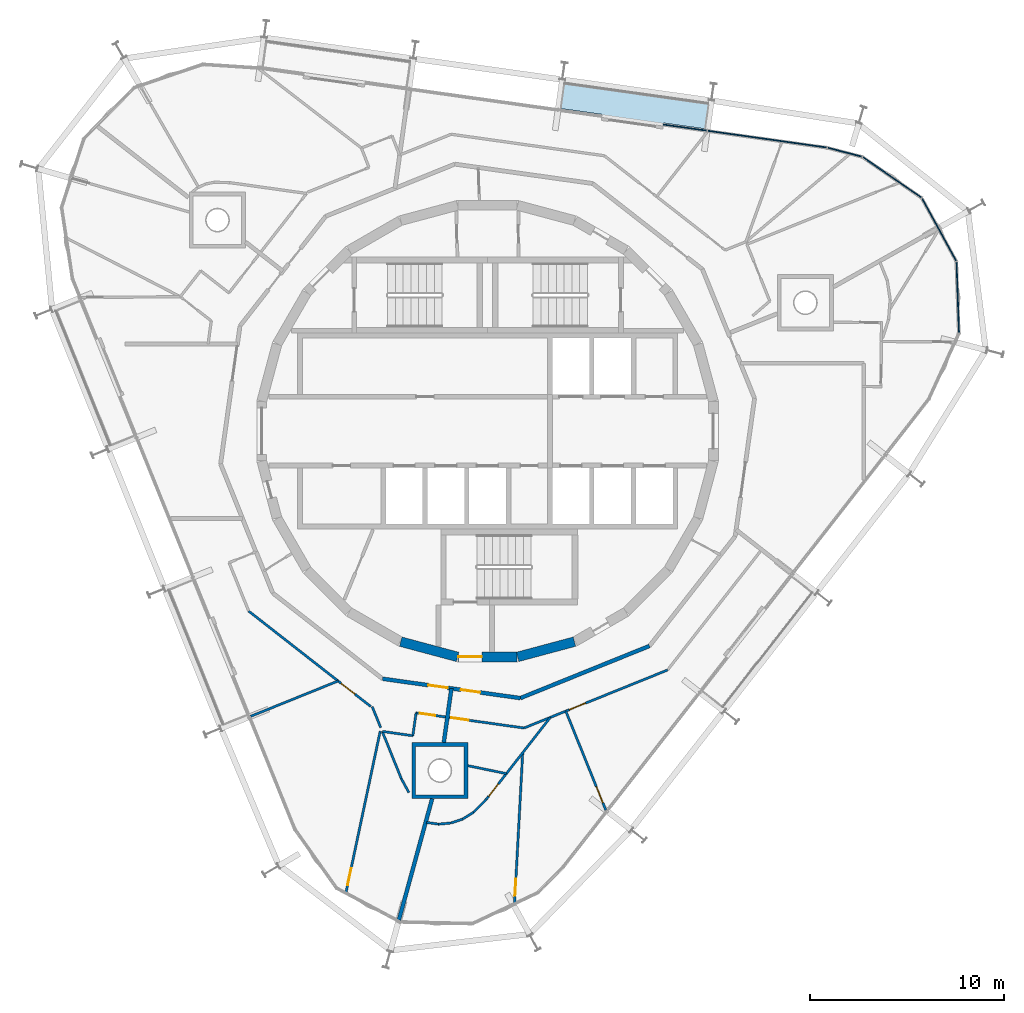
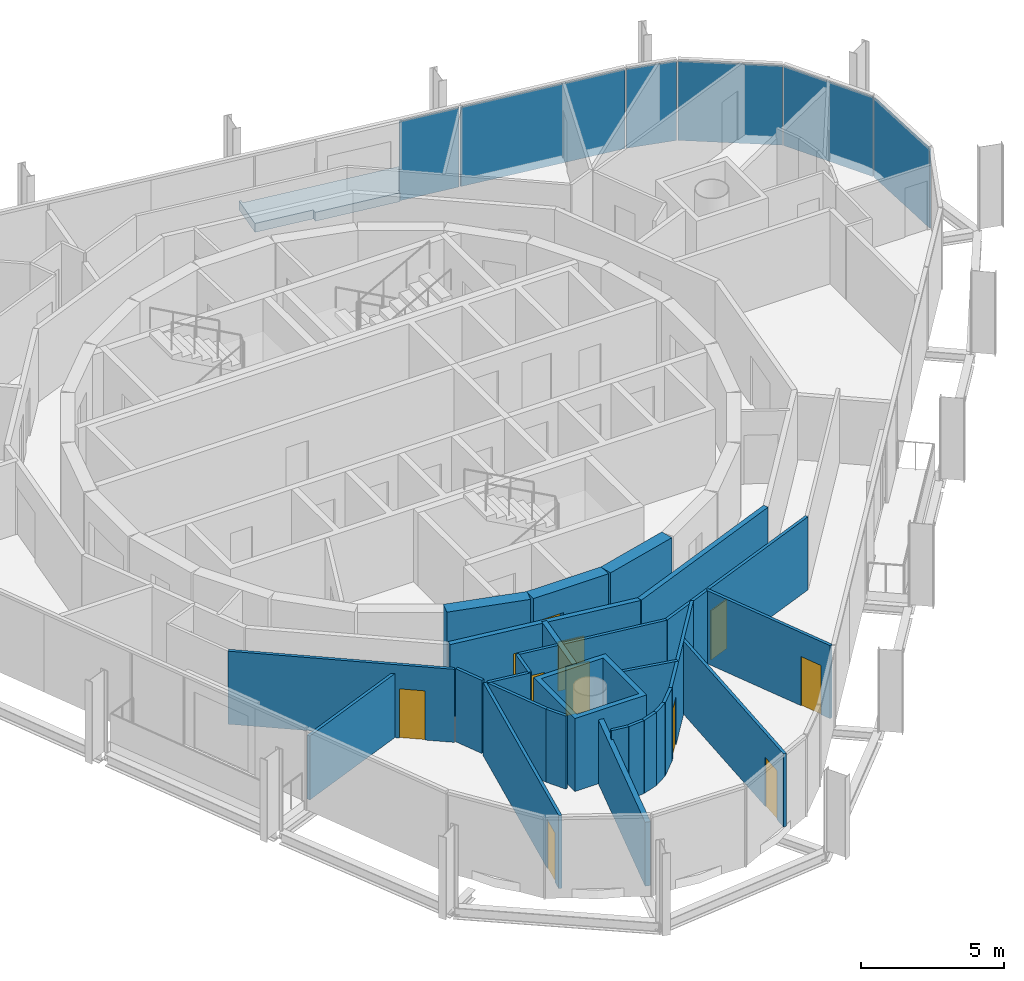
# One storey, part 9 of 15: 27 walls, 11 doors, 6 plates, 1 slab, 11 openings, 2 elements without a shape of their own.
"""IFC4 building model written with IfcOpenShell, lengths in metres."""

from ifc_helpers import new_model, si_unit, direction, frame, frame_2d, origin, origin_2d, place, context, subcontext, project, spatial, polyline, rectangle, outline, extrude, material, layer, layer_set, type_object, element, fill, aggregate, save


model = new_model("IFC4")

# Units and contexts
model_context = context("Model", 3, precision=1e-05, world=origin(), true_north=direction((0.0, 1.0)))
body_context = subcontext(model_context, "Body", "Model", "MODEL_VIEW")
ifc_project = project(units=[si_unit("LENGTHUNIT", "METRE"), si_unit("AREAUNIT", "SQUARE_METRE"), si_unit("VOLUMEUNIT", "CUBIC_METRE"), si_unit("PLANEANGLEUNIT", "RADIAN"), si_unit("MASSUNIT", "GRAM", prefix="KILO")], contexts=[model_context])

# Site, building, storey
site_placement = place(None, origin())
site = spatial("IfcSite", under=ifc_project, at=site_placement, CompositionType="ELEMENT")
building_placement = place(site_placement, origin())
building = spatial("IfcBuilding", under=site, at=building_placement, Name="Spindle Arch Residences", CompositionType="ELEMENT")
storey_placement = place(building_placement, frame((0.0, 0.0, 357.5)))
storey = spatial("IfcBuildingStorey", under=building, at=storey_placement, Name="L92", CompositionType="ELEMENT", Elevation=357.5)

# Slab
ifc_material_1 = material(Name="Concrete C40/50", Category="concrete")
ifc_layer_1 = layer(ifc_material_1, 0.3798828125)
ifc_layer_set_1 = layer_set([ifc_layer_1], Name="Balcony slab 380")
slab_type = type_object("IfcSlabType", Name="Balcony slab 380", PredefinedType="FLOOR", material=ifc_layer_set_1)
slab_placement = place(storey_placement, frame((0.0, 0.0, -0.3798828125)))
element("IfcSlab", 1, at=slab_placement, inside=storey, type_object=slab_type, Name="Balcony L92 bay 6", PredefinedType="FLOOR", context=body_context, shape_type="SweptSolid", body=[
    extrude(outline(polyline([(11.470458984375, 17.05810546875), (11.396240234375, 17.068359375), (11.375244140625, 16.919921875), (3.982421875, 17.958984375), (4.00341796875, 18.107421875), (3.928955078125, 18.117919921875), (3.7216796875, 16.642333984375), (5.907958984375, 16.335205078125), (5.8857421875, 16.1767578125), (9.054443359375, 15.7314453125), (9.076904296875, 15.889892578125), (11.26318359375, 15.58251953125), (11.470458984375, 17.05810546875)])), origin(), (0.0, 0.0, 1.0), 0.3798828125),
])

# Curtain wall, plates
ifc_material_2 = material(Name="Aluminium bronze unitised frame with tinted glass", Category="aluminium")
ifc_layer_2 = layer(ifc_material_2, 0.159912109375)
ifc_layer_set_2 = layer_set([ifc_layer_2], Name="CW-D corner wall on the fillet arcs")
curtain_wall_type_1 = type_object("IfcCurtainWallType", Name="CW-D corner wall on the fillet arcs", PredefinedType="NOTDEFINED", material=ifc_layer_set_2)
curtain_wall_1_placement = place(storey_placement, origin())
curtain_wall_1 = element("IfcCurtainWall", 2, at=curtain_wall_1_placement, inside=storey, type_object=curtain_wall_type_1, Name="CW-D L92 run 1", PredefinedType="NOTDEFINED")
ifc_material_3 = material(Name="Tinted double glazing over aluminium faced non-combustible spandrel zone (K0)", Category="aluminium")
ifc_layer_3 = layer(ifc_material_3, 0.06005859375)
ifc_layer_set_3 = layer_set([ifc_layer_3], Name="Unitised glass panel with E 60 spandrel zone")
plate_type = type_object("IfcPlateType", Name="Unitised glass panel with E 60 spandrel zone", PredefinedType="CURTAIN_PANEL", material=ifc_layer_set_3)
plate_1_placement = place(storey_placement, frame((24.2470703125, 6.896240234375, -0.3798828125), z_axis=(0.0, 0.0, 1.0), x_axis=(-0.034899497139, 0.999390827004, 0.0)))
plate_1 = element("IfcPlate", 3, at=plate_1_placement, type_object=plate_type, Name="CW-D unit 02", PredefinedType="CURTAIN_PANEL", context=body_context, shape_type="SweptSolid", body=[
    extrude(rectangle(XDim=3.666748046875, YDim=0.06005859375, at=origin_2d()), origin(), (0.0, 0.0, 1.0), 3.3798828125),
])
plate_2_placement = place(storey_placement, frame((23.2880859375, 10.3935546875, -0.3798828125), z_axis=(0.0, 0.0, 1.0), x_axis=(-0.479713114021, 0.877425397533, 0.0)))
plate_2 = element("IfcPlate", 4, at=plate_2_placement, type_object=plate_type, Name="CW-D unit 03", PredefinedType="CURTAIN_PANEL", context=body_context, shape_type="SweptSolid", body=[
    extrude(rectangle(XDim=3.666748046875, YDim=0.06005859375, at=origin_2d()), origin(), (0.0, 0.0, 1.0), 3.3798828125),
])
plate_3_placement = place(storey_placement, frame((20.86181640625, 13.08837890625, -0.3798828125), z_axis=(0.0, 0.0, 1.0), x_axis=(-0.822475094841, 0.568801123739, 0.0)))
plate_3 = element("IfcPlate", 5, at=plate_3_placement, type_object=plate_type, Name="CW-D unit 04", PredefinedType="CURTAIN_PANEL", context=body_context, shape_type="SweptSolid", body=[
    extrude(rectangle(XDim=3.666748046875, YDim=0.06005859375, at=origin_2d()), origin(), (0.0, 0.0, 1.0), 3.3798828125),
])
plate_4_placement = place(storey_placement, frame((18.421630859375, 14.3857421875, -0.3798828125), z_axis=(0.0, 0.0, 1.0), x_axis=(-0.967415218326, 0.25319517245, 0.0)))
plate_4 = element("IfcPlate", 6, at=plate_4_placement, type_object=plate_type, Name="CW-D unit 05", PredefinedType="CURTAIN_PANEL", context=body_context, shape_type="SweptSolid", body=[
    extrude(rectangle(XDim=1.816162109375, YDim=0.06005859375, at=origin_2d()), origin(), (0.0, 0.0, 1.0), 3.3798828125),
])
plate_5_placement = place(storey_placement, frame((14.420166015625, 15.05810546875, -0.3798828125), z_axis=(0.0, 0.0, 1.0), x_axis=(-0.990268068742, 0.13917310096, 0.0)))
plate_5 = element("IfcPlate", 7, at=plate_5_placement, type_object=plate_type, Name="CW-D unit 06", PredefinedType="CURTAIN_PANEL", context=body_context, shape_type="SweptSolid", body=[
    extrude(rectangle(XDim=6.188720703125, YDim=0.06005859375, at=origin_2d()), origin(), (0.0, 0.0, 1.0), 3.3798828125),
])
aggregate(curtain_wall_1, [plate_1, plate_2, plate_3, plate_4, plate_5])

# Curtain wall, plate
ifc_material_4 = material(Name="Aluminium bronze unitised frame with tinted glass", Category="aluminium")
ifc_layer_4 = layer(ifc_material_4, 0.159912109375)
ifc_layer_set_4 = layer_set([ifc_layer_4], Name="CW-C typical residential unitised wall")
curtain_wall_type_2 = type_object("IfcCurtainWallType", Name="CW-C typical residential unitised wall", PredefinedType="NOTDEFINED", material=ifc_layer_set_4)
curtain_wall_2_placement = place(storey_placement, origin())
curtain_wall_2 = element("IfcCurtainWall", 8, at=curtain_wall_2_placement, inside=storey, type_object=curtain_wall_type_2, Name="CW-C L92 run 2", PredefinedType="NOTDEFINED")
plate_6_placement = place(storey_placement, frame((10.18115234375, 15.65380859375, -0.3798828125), z_axis=(0.0, 0.0, 1.0), x_axis=(-0.990268068742, 0.13917310096, 0.0)))
plate_6 = element("IfcPlate", 9, at=plate_6_placement, type_object=plate_type, Name="CW-C unit 05L", PredefinedType="CURTAIN_PANEL", context=body_context, shape_type="SweptSolid", body=[
    extrude(rectangle(XDim=2.252685546875, YDim=0.06005859375, at=origin_2d()), origin(), (0.0, 0.0, 1.0), 3.3798828125),
])
aggregate(curtain_wall_2, [plate_6])

# Walls
ifc_material_5 = material(Name="Concrete C50/60", Category="concrete")
ifc_layer_5 = layer(ifc_material_5, 0.5)
ifc_layer_set_5 = layer_set([ifc_layer_5], Name="Core outline wall 500")
wall_type_1 = type_object("IfcWallType", Name="Core outline wall 500", PredefinedType="SHEAR", material=ifc_layer_set_5)
for number, where, z_axis, x_axis, name in (
    (10, (1.5498046875, -11.642822265625, 0.0), (0.0, 0.0, 1.0), (0.965948410781, 0.258734743916, 0.0), "Core outline wall 1"),
    (11, (-4.479248046875, -10.858154296875, 0.0), (0.0, 0.0, 1.0), (0.965948410781, -0.258734743916, 0.0), "Core outline wall 23"),
):
    element("IfcWall", number, at=place(storey_placement, frame(where, z_axis=z_axis, x_axis=x_axis)), inside=storey, type_object=wall_type_1, Name=name, PredefinedType="SHEAR", context=body_context, shape_type="SweptSolid", body=[
        extrude(rectangle(XDim=3.03271484375, YDim=0.5, at=frame_2d((1.516357421875, 0.0))), origin(), (0.0, 0.0, 1.0), 3.1201171875),
    ])

# Wall, opening, door
wall_1_placement = place(storey_placement, frame((-1.516357421875, -11.647216796875, 0.0), z_axis=(0.0, 0.0, 1.0), x_axis=(1.0, 0.0, 0.0)))
wall_1 = element("IfcWall", 12, at=wall_1_placement, inside=storey, type_object=wall_type_1, Name="Core outline wall 24", PredefinedType="SHEAR", context=body_context, shape_type="SweptSolid", body=[
    extrude(rectangle(XDim=3.03271484375, YDim=0.5, at=frame_2d((1.516357421875, 0.0))), origin(), (0.0, 0.0, 1.0), 3.1201171875),
])
opening_1_placement = place(wall_1_placement, frame((0.016357421875, 0.0, 0.0)))
opening_1 = element("IfcOpeningElement", 13, at=opening_1_placement, cuts=wall_1, Name="Opening R9C1-AD03", PredefinedType="OPENING", context=body_context, shape_type="SweptSolid", body=[
    extrude(rectangle(XDim=1.199951171875, YDim=2.10009765625, at=frame_2d((0.60009765625, 1.050048828125))), frame((0.0, 0.260009765625, 0.0), z_axis=(0.0, -1.0, 0.0), x_axis=(1.0, 0.0, 0.0)), (0.0, 0.0, 1.0), 0.52001953125),
])
ifc_material_6 = material(Name="Steel, fire-resisting door", Category="steel")
door_type_1 = type_object("IfcDoorType", Name="Stair airlock door 1200x2100", OperationType="SINGLE_SWING_LEFT", PredefinedType="DOOR", material=ifc_material_6)
door_1_placement = place(opening_1_placement, origin())
door_1 = element("IfcDoor", 14, at=door_1_placement, inside=storey, type_object=door_type_1, Name="Stair airlock door R9C1-AD03", OperationType="SINGLE_SWING_RIGHT", OverallHeight=2.10009765625, OverallWidth=1.199951171875, PredefinedType="DOOR", context=body_context, shape_type="SweptSolid", body=[
    extrude(rectangle(XDim=1.199951171875, YDim=2.10009765625, at=frame_2d((0.60009765625, 1.050048828125))), frame((0.0, 0.02490234375, 0.0), z_axis=(0.0, -1.0, 0.0), x_axis=(1.0, 0.0, 0.0)), (0.0, 0.0, 1.0), 0.050048828125),
])
fill(opening_1, door_1)

# Wall, openings, doors
ifc_material_7 = material(Name="Calcium silicate block, plastered")
ifc_layer_6 = layer(ifc_material_7, 0.199951171875)
ifc_layer_set_6 = layer_set([ifc_layer_6], Name="Corridor wall 200")
wall_type_2 = type_object("IfcWallType", Name="Corridor wall 200", PredefinedType="STANDARD", material=ifc_layer_set_6)
wall_2_placement = place(storey_placement, frame((-5.42041015625, -12.77001953125, 0.0), z_axis=(0.0, 0.0, 1.0), x_axis=(0.990270565508, -0.139155334385, 0.0)))
wall_2 = element("IfcWall", 15, at=wall_2_placement, inside=storey, type_object=wall_type_2, Name="Corridor wall R9C1-W015", PredefinedType="STANDARD", context=body_context, shape_type="SweptSolid", body=[
    extrude(rectangle(XDim=7.180908203125, YDim=0.199951171875, at=frame_2d((3.59033203125, 0.0))), origin(), (0.0, 0.0, 1.0), 3.1201171875),
])
opening_2_placement = place(wall_2_placement, frame((2.390380859375, 0.0, 0.0)))
opening_2 = element("IfcOpeningElement", 16, at=opening_2_placement, cuts=wall_2, Name="Opening R9C1-FD05", PredefinedType="OPENING", context=body_context, shape_type="SweptSolid", body=[
    extrude(rectangle(XDim=1.0, YDim=2.10009765625, at=frame_2d((0.5, 1.050048828125))), frame((0.0, 0.10986328125, 0.0), z_axis=(0.0, -1.0, 0.0), x_axis=(1.0, 0.0, 0.0)), (0.0, 0.0, 1.0), 0.219970703125),
])
opening_3_placement = place(wall_2_placement, frame((4.090576171875, 0.0, 0.0)))
opening_3 = element("IfcOpeningElement", 17, at=opening_3_placement, cuts=wall_2, Name="Opening R9C1-FD06", PredefinedType="OPENING", context=body_context, shape_type="SweptSolid", body=[
    extrude(rectangle(XDim=1.0, YDim=2.10009765625, at=frame_2d((0.5, 1.050048828125))), frame((0.0, 0.10986328125, 0.0), z_axis=(0.0, -1.0, 0.0), x_axis=(1.0, 0.0, 0.0)), (0.0, 0.0, 1.0), 0.219970703125),
])
ifc_material_8 = material(Name="Timber, fire-resisting door set", Category="wood")
door_type_2 = type_object("IfcDoorType", Name="Flat entrance door 1000x2100", OperationType="NOTDEFINED", PredefinedType="DOOR", material=ifc_material_8)
door_2_placement = place(opening_2_placement, origin())
door_2 = element("IfcDoor", 18, at=door_2_placement, inside=storey, type_object=door_type_2, Name="Flat entrance door R9C1-FD05", OperationType="SINGLE_SWING_RIGHT", OverallHeight=2.10009765625, OverallWidth=1.0, PredefinedType="DOOR", context=body_context, shape_type="SweptSolid", body=[
    extrude(rectangle(XDim=1.0, YDim=2.10009765625, at=frame_2d((0.5, 1.050048828125))), frame((0.0, 0.02490234375, 0.0), z_axis=(0.0, -1.0, 0.0), x_axis=(1.0, 0.0, 0.0)), (0.0, 0.0, 1.0), 0.050048828125),
])
fill(opening_2, door_2)
door_3_placement = place(opening_3_placement, origin())
door_3 = element("IfcDoor", 19, at=door_3_placement, inside=storey, type_object=door_type_2, Name="Flat entrance door R9C1-FD06", OperationType="SINGLE_SWING_RIGHT", OverallHeight=2.10009765625, OverallWidth=1.0, PredefinedType="DOOR", context=body_context, shape_type="SweptSolid", body=[
    extrude(rectangle(XDim=1.0, YDim=2.10009765625, at=frame_2d((0.5, 1.050048828125))), frame((0.0, 0.02490234375, 0.0), z_axis=(0.0, -1.0, 0.0), x_axis=(1.0, 0.0, 0.0)), (0.0, 0.0, 1.0), 0.050048828125),
])
fill(opening_3, door_3)

# Wall
wall_3_placement = place(storey_placement, frame((1.690673828125, -13.769287109375, 0.0), z_axis=(0.0, 0.0, 1.0), x_axis=(0.92717916932, 0.374618189599, 0.0)))
element("IfcWall", 20, at=wall_3_placement, inside=storey, type_object=wall_type_2, Name="Corridor wall R9C1-W016", PredefinedType="STANDARD", context=body_context, shape_type="SweptSolid", body=[
    extrude(rectangle(XDim=7.18115234375, YDim=0.199951171875, at=frame_2d((3.590576171875, 0.0))), origin(), (0.0, 0.0, 1.0), 3.1201171875),
])

# Wall, opening, door
ifc_material_9 = material(Name="Plasterboard on steel studs", Category="steel")
ifc_layer_7 = layer(ifc_material_9, 0.1201171875)
ifc_layer_set_7 = layer_set([ifc_layer_7], Name="Flat partition 120")
wall_type_3 = type_object("IfcWallType", Name="Flat partition 120", PredefinedType="PARTITIONING", material=ifc_layer_set_7)
wall_4_placement = place(storey_placement, frame((-12.3193359375, -9.283447265625, 0.0), z_axis=(0.0, 0.0, 1.0), x_axis=(0.788000268464, -0.61567489546, 0.0)))
wall_4 = element("IfcWall", 21, at=wall_4_placement, inside=storey, type_object=wall_type_3, Name="Flat partition R9C1-W070", PredefinedType="PARTITIONING", context=body_context, shape_type="SweptSolid", body=[
    extrude(rectangle(XDim=7.98486328125, YDim=0.1201171875, at=frame_2d((3.992431640625, 0.0))), origin(), (0.0, 0.0, 1.0), 3.1201171875),
])
opening_4_placement = place(wall_4_placement, frame((6.05126953125, 0.0, 0.0)))
opening_4 = element("IfcOpeningElement", 22, at=opening_4_placement, cuts=wall_4, Name="Opening R9C1-ID15", PredefinedType="OPENING", context=body_context, shape_type="SweptSolid", body=[
    extrude(rectangle(XDim=0.89990234375, YDim=2.10009765625, at=frame_2d((0.449951171875, 1.050048828125))), frame((0.0, 0.070068359375, 0.0), z_axis=(0.0, -1.0, 0.0), x_axis=(1.0, 0.0, 0.0)), (0.0, 0.0, 1.0), 0.14013671875),
])
ifc_material_10 = material(Name="Timber door set", Category="wood")
door_type_3 = type_object("IfcDoorType", Name="Room door 900x2100", OperationType="NOTDEFINED", PredefinedType="DOOR", material=ifc_material_10)
door_4_placement = place(opening_4_placement, origin())
door_4 = element("IfcDoor", 23, at=door_4_placement, inside=storey, type_object=door_type_3, Name="Room door R9C1-ID15", OperationType="SINGLE_SWING_RIGHT", OverallHeight=2.10009765625, OverallWidth=0.89990234375, PredefinedType="DOOR", context=body_context, shape_type="SweptSolid", body=[
    extrude(rectangle(XDim=0.89990234375, YDim=2.10009765625, at=frame_2d((0.449951171875, 1.050048828125))), frame((0.0, 0.02490234375, 0.0), z_axis=(0.0, -1.0, 0.0), x_axis=(1.0, 0.0, 0.0)), (0.0, 0.0, 1.0), 0.050048828125),
])
fill(opening_4, door_4)

# Walls
wall_5_placement = place(storey_placement, frame((-5.9482421875, -14.21044921875, 0.0), z_axis=(0.0, 0.0, 1.0), x_axis=(0.374601530156, -0.927185900241, 0.0)))
element("IfcWall", 24, at=wall_5_placement, inside=storey, type_object=wall_type_3, Name="Flat partition R9C1-W071", PredefinedType="PARTITIONING", context=body_context, shape_type="SweptSolid", body=[
    extrude(rectangle(XDim=1.166015625, YDim=0.1201171875, at=frame_2d((0.5830078125, 0.0))), origin(), (0.0, 0.0, 1.0), 3.1201171875),
])
wall_6_placement = place(storey_placement, frame((-5.4326171875, -15.486572265625, 0.0), z_axis=(0.0, 0.0, 1.0), x_axis=(0.990268451053, -0.139170380644, 0.0)))
element("IfcWall", 25, at=wall_6_placement, inside=storey, type_object=wall_type_3, Name="Flat partition R9C1-W072", PredefinedType="PARTITIONING", context=body_context, shape_type="SweptSolid", body=[
    extrude(rectangle(XDim=1.5947265625, YDim=0.1201171875, at=frame_2d((0.79736328125, 0.0))), origin(), (0.0, 0.0, 1.0), 3.1201171875),
])
wall_7_placement = place(storey_placement, frame((-3.853515625, -15.70849609375, 0.0), z_axis=(0.0, 0.0, 1.0), x_axis=(0.139298773474, 0.99025039849, 0.0)))
element("IfcWall", 26, at=wall_7_placement, inside=storey, type_object=wall_type_3, Name="Flat partition R9C1-W073", PredefinedType="PARTITIONING", context=body_context, shape_type="SweptSolid", body=[
    extrude(rectangle(XDim=1.19189453125, YDim=0.1201171875, at=frame_2d((0.595947265625, 0.0))), origin(), (0.0, 0.0, 1.0), 3.1201171875),
])

# Wall, openings, doors
wall_8_placement = place(storey_placement, frame((-3.6875, -14.5283203125, 0.0), z_axis=(0.0, 0.0, 1.0), x_axis=(0.990273413633, -0.139135064782, 0.0)))
wall_8 = element("IfcWall", 27, at=wall_8_placement, inside=storey, type_object=wall_type_3, Name="Flat partition R9C1-W074", PredefinedType="PARTITIONING", context=body_context, shape_type="SweptSolid", body=[
    extrude(rectangle(XDim=5.6220703125, YDim=0.1201171875, at=frame_2d((2.81103515625, 0.0))), origin(), (0.0, 0.0, 1.0), 3.1201171875),
])
opening_5_placement = place(wall_8_placement, frame((0.199951171875, 0.0, 0.0)))
opening_5 = element("IfcOpeningElement", 28, at=opening_5_placement, cuts=wall_8, Name="Opening R9C1-BD05", PredefinedType="OPENING", context=body_context, shape_type="SweptSolid", body=[
    extrude(rectangle(XDim=0.800048828125, YDim=2.10009765625, at=frame_2d((0.39990234375, 1.050048828125))), frame((0.0, 0.070068359375, 0.0), z_axis=(0.0, -1.0, 0.0), x_axis=(1.0, 0.0, 0.0)), (0.0, 0.0, 1.0), 0.14013671875),
])
opening_6_placement = place(wall_8_placement, frame((1.829833984375, 0.0, 0.0)))
opening_6 = element("IfcOpeningElement", 29, at=opening_6_placement, cuts=wall_8, Name="Opening R9C1-ID17", PredefinedType="OPENING", context=body_context, shape_type="SweptSolid", body=[
    extrude(rectangle(XDim=0.89990234375, YDim=2.10009765625, at=frame_2d((0.449951171875, 1.050048828125))), frame((0.0, 0.070068359375, 0.0), z_axis=(0.0, -1.0, 0.0), x_axis=(1.0, 0.0, 0.0)), (0.0, 0.0, 1.0), 0.14013671875),
])
ifc_material_11 = material(Name="Timber door set", Category="wood")
door_type_4 = type_object("IfcDoorType", Name="Bathroom door 800x2100", OperationType="NOTDEFINED", PredefinedType="DOOR", material=ifc_material_11)
door_5_placement = place(opening_5_placement, origin())
door_5 = element("IfcDoor", 30, at=door_5_placement, inside=storey, type_object=door_type_4, Name="Bathroom door R9C1-BD05", OperationType="SINGLE_SWING_RIGHT", OverallHeight=2.10009765625, OverallWidth=0.800048828125, PredefinedType="DOOR", context=body_context, shape_type="SweptSolid", body=[
    extrude(rectangle(XDim=0.800048828125, YDim=2.10009765625, at=frame_2d((0.39990234375, 1.050048828125))), frame((0.0, 0.02490234375, 0.0), z_axis=(0.0, -1.0, 0.0), x_axis=(1.0, 0.0, 0.0)), (0.0, 0.0, 1.0), 0.050048828125),
])
fill(opening_5, door_5)
door_6_placement = place(opening_6_placement, origin())
door_6 = element("IfcDoor", 31, at=door_6_placement, inside=storey, type_object=door_type_3, Name="Room door R9C1-ID17", OperationType="SINGLE_SWING_RIGHT", OverallHeight=2.10009765625, OverallWidth=0.89990234375, PredefinedType="DOOR", context=body_context, shape_type="SweptSolid", body=[
    extrude(rectangle(XDim=0.89990234375, YDim=2.10009765625, at=frame_2d((0.449951171875, 1.050048828125))), frame((0.0, 0.02490234375, 0.0), z_axis=(0.0, -1.0, 0.0), x_axis=(1.0, 0.0, 0.0)), (0.0, 0.0, 1.0), 0.050048828125),
])
fill(opening_6, door_6)

# Wall, opening, door
wall_9_placement = place(storey_placement, frame((-7.305419921875, -23.81494140625, 0.0), z_axis=(0.0, 0.0, 1.0), x_axis=(0.207366409306, 0.978263345062, 0.0)))
wall_9 = element("IfcWall", 32, at=wall_9_placement, inside=storey, type_object=wall_type_3, Name="Flat partition R9C1-W076", PredefinedType="PARTITIONING", context=body_context, shape_type="SweptSolid", body=[
    extrude(rectangle(XDim=8.528564453125, YDim=0.1201171875, at=frame_2d((4.26416015625, 0.0))), origin(), (0.0, 0.0, 1.0), 3.1201171875),
])
opening_7_placement = place(wall_9_placement, frame((0.39990234375, 0.0, 0.0)))
opening_7 = element("IfcOpeningElement", 33, at=opening_7_placement, cuts=wall_9, Name="Opening R9C1-ID16", PredefinedType="OPENING", context=body_context, shape_type="SweptSolid", body=[
    extrude(rectangle(XDim=0.89990234375, YDim=2.10009765625, at=frame_2d((0.449951171875, 1.050048828125))), frame((0.0, 0.070068359375, 0.0), z_axis=(0.0, -1.0, 0.0), x_axis=(1.0, 0.0, 0.0)), (0.0, 0.0, 1.0), 0.14013671875),
])
door_7_placement = place(opening_7_placement, origin())
door_7 = element("IfcDoor", 34, at=door_7_placement, inside=storey, type_object=door_type_3, Name="Room door R9C1-ID16", OperationType="SINGLE_SWING_RIGHT", OverallHeight=2.10009765625, OverallWidth=0.89990234375, PredefinedType="DOOR", context=body_context, shape_type="SweptSolid", body=[
    extrude(rectangle(XDim=0.89990234375, YDim=2.10009765625, at=frame_2d((0.449951171875, 1.050048828125))), frame((0.0, 0.02490234375, 0.0), z_axis=(0.0, -1.0, 0.0), x_axis=(1.0, 0.0, 0.0)), (0.0, 0.0, 1.0), 0.050048828125),
])
fill(opening_7, door_7)

# Walls
wall_10_placement = place(storey_placement, frame((-4.05859375, -18.637939453125, 0.0), z_axis=(0.0, 0.0, 1.0), x_axis=(-0.479488268542, 0.877548289458, 0.0)))
element("IfcWall", 35, at=wall_10_placement, inside=storey, type_object=wall_type_3, Name="Flat partition R9C1-W077", PredefinedType="PARTITIONING", context=body_context, shape_type="SweptSolid", body=[
    extrude(rectangle(XDim=0.806640625, YDim=0.1201171875, at=frame_2d((0.4033203125, 0.0))), origin(), (0.0, 0.0, 1.0), 3.1201171875),
])
wall_11_placement = place(storey_placement, frame((-4.4453125, -17.93017578125, 0.0), z_axis=(0.0, 0.0, 1.0), x_axis=(-0.374614676827, 0.927180588616, 0.0)))
element("IfcWall", 36, at=wall_11_placement, inside=storey, type_object=wall_type_3, Name="Flat partition R9C1-W078", PredefinedType="PARTITIONING", context=body_context, shape_type="SweptSolid", body=[
    extrude(rectangle(XDim=2.635498046875, YDim=0.1201171875, at=frame_2d((1.31787109375, 0.0))), origin(), (0.0, 0.0, 1.0), 3.1201171875),
])

# Wall, opening, door
wall_12_placement = place(storey_placement, frame((1.8798828125, -15.310546875, 0.0), z_axis=(0.0, 0.0, 1.0), x_axis=(0.927184866592, 0.374604088557, 0.0)))
wall_12 = element("IfcWall", 37, at=wall_12_placement, inside=storey, type_object=wall_type_3, Name="Flat partition R9C1-W079", PredefinedType="PARTITIONING", context=body_context, shape_type="SweptSolid", body=[
    extrude(rectangle(XDim=7.985107421875, YDim=0.1201171875, at=frame_2d((3.99267578125, 0.0))), origin(), (0.0, 0.0, 1.0), 3.1201171875),
])
opening_8_placement = place(wall_12_placement, frame((2.52392578125, 0.0, 0.0)))
opening_8 = element("IfcOpeningElement", 38, at=opening_8_placement, cuts=wall_12, Name="Opening R9C1-ID18", PredefinedType="OPENING", context=body_context, shape_type="SweptSolid", body=[
    extrude(rectangle(XDim=0.89990234375, YDim=2.10009765625, at=frame_2d((0.449951171875, 1.050048828125))), frame((0.0, 0.070068359375, 0.0), z_axis=(0.0, -1.0, 0.0), x_axis=(1.0, 0.0, 0.0)), (0.0, 0.0, 1.0), 0.14013671875),
])
door_8_placement = place(opening_8_placement, origin())
door_8 = element("IfcDoor", 39, at=door_8_placement, inside=storey, type_object=door_type_3, Name="Room door R9C1-ID18", OperationType="SINGLE_SWING_LEFT", OverallHeight=2.10009765625, OverallWidth=0.89990234375, PredefinedType="DOOR", context=body_context, shape_type="SweptSolid", body=[
    extrude(rectangle(XDim=0.89990234375, YDim=2.10009765625, at=frame_2d((0.449951171875, 1.050048828125))), frame((0.0, 0.02490234375, 0.0), z_axis=(0.0, -1.0, 0.0), x_axis=(1.0, 0.0, 0.0)), (0.0, 0.0, 1.0), 0.050048828125),
])
fill(opening_8, door_8)

# Walls
wall_13_placement = place(storey_placement, frame((-3.16015625, -20.17919921875, 0.0), z_axis=(0.0, 0.0, 1.0), x_axis=(0.990266409014, -0.139184910023, 0.0)))
element("IfcWall", 40, at=wall_13_placement, inside=storey, type_object=wall_type_3, Name="Flat partition R9C1-W081", PredefinedType="PARTITIONING", context=body_context, shape_type="SweptSolid", body=[
    extrude(rectangle(XDim=0.64208984375, YDim=0.1201171875, at=frame_2d((0.321044921875, 0.0))), origin(), (0.0, 0.0, 1.0), 3.1201171875),
])
for number, where, z_axis, x_axis, name in (
    (41, (-2.5244140625, -20.2685546875, 0.0), (0.0, 0.0, 1.0), (0.995684886436, 0.09279874419, 0.0), "Flat partition R9C1-W082"),
    (42, (-1.88525390625, -20.208984375, 0.0), (0.0, 0.0, 1.0), (0.947459141742, 0.319876811804, 0.0), "Flat partition R9C1-W083"),
    (43, (-1.277099609375, -20.003662109375, 0.0), (0.0, 0.0, 1.0), (0.847848685825, 0.530238253943, 0.0), "Flat partition R9C1-W084"),
):
    element("IfcWall", number, at=place(storey_placement, frame(where, z_axis=z_axis, x_axis=x_axis)), inside=storey, type_object=wall_type_3, Name=name, PredefinedType="PARTITIONING", context=body_context, shape_type="SweptSolid", body=[
        extrude(rectangle(XDim=0.641845703125, YDim=0.1201171875, at=frame_2d((0.32080078125, 0.0))), origin(), (0.0, 0.0, 1.0), 3.1201171875),
    ])
wall_14_placement = place(storey_placement, frame((-0.73291015625, -19.663330078125, 0.0), z_axis=(0.0, 0.0, 1.0), x_axis=(0.702968734621, 0.711220752049, 0.0)))
element("IfcWall", 44, at=wall_14_placement, inside=storey, type_object=wall_type_3, Name="Flat partition R9C1-W085", PredefinedType="PARTITIONING", context=body_context, shape_type="SweptSolid", body=[
    extrude(rectangle(XDim=0.94677734375, YDim=0.1201171875, at=frame_2d((0.473388671875, 0.0))), origin(), (0.0, 0.0, 1.0), 3.1201171875),
])

# Wall, opening, door
wall_15_placement = place(storey_placement, frame((-0.0673828125, -18.989990234375, 0.0), z_axis=(0.0, 0.0, 1.0), x_axis=(0.615678487989, 0.787997461562, 0.0)))
wall_15 = element("IfcWall", 45, at=wall_15_placement, inside=storey, type_object=wall_type_3, Name="Flat partition R9C1-W086", PredefinedType="PARTITIONING", context=body_context, shape_type="SweptSolid", body=[
    extrude(rectangle(XDim=5.364013671875, YDim=0.1201171875, at=frame_2d((2.68212890625, 0.0))), origin(), (0.0, 0.0, 1.0), 3.1201171875),
])
opening_9_placement = place(wall_15_placement, frame((0.199951171875, 0.0, 0.0)))
opening_9 = element("IfcOpeningElement", 46, at=opening_9_placement, cuts=wall_15, Name="Opening R9C1-BD06", PredefinedType="OPENING", context=body_context, shape_type="SweptSolid", body=[
    extrude(rectangle(XDim=0.800048828125, YDim=2.10009765625, at=frame_2d((0.39990234375, 1.050048828125))), frame((0.0, 0.070068359375, 0.0), z_axis=(0.0, -1.0, 0.0), x_axis=(1.0, 0.0, 0.0)), (0.0, 0.0, 1.0), 0.14013671875),
])
door_9_placement = place(opening_9_placement, origin())
door_9 = element("IfcDoor", 47, at=door_9_placement, inside=storey, type_object=door_type_4, Name="Bathroom door R9C1-BD06", OperationType="SINGLE_SWING_RIGHT", OverallHeight=2.10009765625, OverallWidth=0.800048828125, PredefinedType="DOOR", context=body_context, shape_type="SweptSolid", body=[
    extrude(rectangle(XDim=0.800048828125, YDim=2.10009765625, at=frame_2d((0.39990234375, 1.050048828125))), frame((0.0, 0.02490234375, 0.0), z_axis=(0.0, -1.0, 0.0), x_axis=(1.0, 0.0, 0.0)), (0.0, 0.0, 1.0), 0.050048828125),
])
fill(opening_9, door_9)

# Wall
wall_16_placement = place(storey_placement, frame((0.968994140625, -17.663330078125, 0.0), z_axis=(0.0, 0.0, 1.0), x_axis=(-0.979358667558, 0.202130156776, 0.0)))
element("IfcWall", 48, at=wall_16_placement, inside=storey, type_object=wall_type_3, Name="Flat partition R9C1-W087", PredefinedType="PARTITIONING", context=body_context, shape_type="SweptSolid", body=[
    extrude(rectangle(XDim=2.020751953125, YDim=0.1201171875, at=frame_2d((1.01025390625, 0.0))), origin(), (0.0, 0.0, 1.0), 3.1201171875),
])

# Wall, opening, door
wall_17_placement = place(storey_placement, frame((1.3857421875, -24.47119140625, 0.0), z_axis=(0.0, 0.0, 1.0), x_axis=(0.053855287289, 0.998548750954, 0.0)))
wall_17 = element("IfcWall", 49, at=wall_17_placement, inside=storey, type_object=wall_type_3, Name="Flat partition R9C1-W088", PredefinedType="PARTITIONING", context=body_context, shape_type="SweptSolid", body=[
    extrude(rectangle(XDim=7.89697265625, YDim=0.1201171875, at=frame_2d((3.948486328125, 0.0))), origin(), (0.0, 0.0, 1.0), 3.1201171875),
])
opening_10_placement = place(wall_17_placement, frame((0.5, 0.0, 0.0)))
opening_10 = element("IfcOpeningElement", 50, at=opening_10_placement, cuts=wall_17, Name="Opening R9C1-ID20", PredefinedType="OPENING", context=body_context, shape_type="SweptSolid", body=[
    extrude(rectangle(XDim=0.89990234375, YDim=2.10009765625, at=frame_2d((0.449951171875, 1.050048828125))), frame((0.0, 0.070068359375, 0.0), z_axis=(0.0, -1.0, 0.0), x_axis=(1.0, 0.0, 0.0)), (0.0, 0.0, 1.0), 0.14013671875),
])
door_10_placement = place(opening_10_placement, origin())
door_10 = element("IfcDoor", 51, at=door_10_placement, inside=storey, type_object=door_type_3, Name="Room door R9C1-ID20", OperationType="SINGLE_SWING_LEFT", OverallHeight=2.10009765625, OverallWidth=0.89990234375, PredefinedType="DOOR", context=body_context, shape_type="SweptSolid", body=[
    extrude(rectangle(XDim=0.89990234375, YDim=2.10009765625, at=frame_2d((0.449951171875, 1.050048828125))), frame((0.0, 0.02490234375, 0.0), z_axis=(0.0, -1.0, 0.0), x_axis=(1.0, 0.0, 0.0)), (0.0, 0.0, 1.0), 0.050048828125),
])
fill(opening_10, door_10)

wall_18_placement = place(storey_placement, frame((6.097412109375, -19.5458984375, 0.0), z_axis=(0.0, 0.0, 1.0), x_axis=(-0.374591330213, 0.927190021155, 0.0)))
wall_18 = element("IfcWall", 52, at=wall_18_placement, inside=storey, type_object=wall_type_3, Name="Flat partition R9C1-W089", PredefinedType="PARTITIONING", context=body_context, shape_type="SweptSolid", body=[
    extrude(rectangle(XDim=5.506591796875, YDim=0.1201171875, at=frame_2d((2.75341796875, 0.0))), origin(), (0.0, 0.0, 1.0), 3.1201171875),
])
opening_11_placement = place(wall_18_placement, frame((0.39990234375, 0.0, 0.0)))
opening_11 = element("IfcOpeningElement", 53, at=opening_11_placement, cuts=wall_18, Name="Opening R9C1-ID19", PredefinedType="OPENING", context=body_context, shape_type="SweptSolid", body=[
    extrude(rectangle(XDim=0.89990234375, YDim=2.10009765625, at=frame_2d((0.449951171875, 1.050048828125))), frame((0.0, 0.070068359375, 0.0), z_axis=(0.0, -1.0, 0.0), x_axis=(1.0, 0.0, 0.0)), (0.0, 0.0, 1.0), 0.14013671875),
])
door_11_placement = place(opening_11_placement, origin())
door_11 = element("IfcDoor", 54, at=door_11_placement, inside=storey, type_object=door_type_3, Name="Room door R9C1-ID19", OperationType="SINGLE_SWING_LEFT", OverallHeight=2.10009765625, OverallWidth=0.89990234375, PredefinedType="DOOR", context=body_context, shape_type="SweptSolid", body=[
    extrude(rectangle(XDim=0.89990234375, YDim=2.10009765625, at=frame_2d((0.449951171875, 1.050048828125))), frame((0.0, 0.02490234375, 0.0), z_axis=(0.0, -1.0, 0.0), x_axis=(1.0, 0.0, 0.0)), (0.0, 0.0, 1.0), 0.050048828125),
])
fill(opening_11, door_11)

# Walls
ifc_material_12 = material(Name="Plasterboard on steel studs", Category="steel")
ifc_layer_8 = layer(ifc_material_12, 0.1201171875)
ifc_layer_set_8 = layer_set([ifc_layer_8], Name="Flat partition 120 under beam 2730")
wall_type_4 = type_object("IfcWallType", Name="Flat partition 120 under beam 2730", PredefinedType="PARTITIONING", material=ifc_layer_set_8)
wall_19_placement = place(storey_placement, frame((-12.218505859375, -14.7080078125, 0.0), z_axis=(0.0, 0.0, 1.0), x_axis=(0.927176471086, 0.374624867655, 0.0)))
element("IfcWall", 55, at=wall_19_placement, inside=storey, type_object=wall_type_4, Name="Flat partition R9C1-W075", PredefinedType="PARTITIONING", context=body_context, shape_type="SweptSolid", body=[
    extrude(rectangle(XDim=4.8642578125, YDim=0.1201171875, at=frame_2d((2.43212890625, 0.0))), origin(), (0.0, 0.0, 1.0), 2.72998046875),
])
ifc_material_13 = material(Name="Calcium silicate block, plastered")
ifc_layer_9 = layer(ifc_material_13, 0.199951171875)
ifc_layer_set_9 = layer_set([ifc_layer_9], Name="Flat party wall 200")
wall_type_5 = type_object("IfcWallType", Name="Flat party wall 200", PredefinedType="STANDARD", material=ifc_layer_set_9)
wall_20_placement = place(storey_placement, frame((-2.25634765625, -16.0546875, 0.0), z_axis=(0.0, 0.0, 1.0), x_axis=(0.139148428478, 0.990271535919, 0.0)))
element("IfcWall", 56, at=wall_20_placement, inside=storey, type_object=wall_type_5, Name="Flat party wall R9C1-W027", PredefinedType="STANDARD", context=body_context, shape_type="SweptSolid", body=[
    extrude(rectangle(XDim=2.8125, YDim=0.199951171875, at=frame_2d((1.40625, 0.0))), origin(), (0.0, 0.0, 1.0), 3.1201171875),
])
ifc_material_14 = material(Name="Calcium silicate block, plastered")
ifc_layer_10 = layer(ifc_material_14, 0.199951171875)
ifc_layer_set_10 = layer_set([ifc_layer_10], Name="Flat party wall 200 under beam 2730")
wall_type_6 = type_object("IfcWallType", Name="Flat party wall 200 under beam 2730", PredefinedType="STANDARD", material=ifc_layer_set_10)
wall_21_placement = place(storey_placement, frame((-4.573974609375, -25.209716796875, 0.0), z_axis=(0.0, 0.0, 1.0), x_axis=(0.264579024648, 0.964364007892, 0.0)))
element("IfcWall", 57, at=wall_21_placement, inside=storey, type_object=wall_type_6, Name="Flat party wall R9C1-W028", PredefinedType="STANDARD", context=body_context, shape_type="SweptSolid", body=[
    extrude(rectangle(XDim=6.486083984375, YDim=0.199951171875, at=frame_2d((3.2431640625, 0.0))), origin(), (0.0, 0.0, 1.0), 2.72998046875),
])
ifc_material_15 = material(Name="Calcium silicate block, plastered")
ifc_layer_11 = layer(ifc_material_15, 0.199951171875)
ifc_layer_set_11 = layer_set([ifc_layer_11], Name="Mega-column casing wall 200")
wall_type_7 = type_object("IfcWallType", Name="Mega-column casing wall 200", PredefinedType="STANDARD", material=ifc_layer_set_11)
wall_22_placement = place(storey_placement, origin())
element("IfcWall", 58, at=wall_22_placement, inside=storey, type_object=wall_type_7, Name="Mega-column casing wall R9C1-WC03", PredefinedType="STANDARD", context=body_context, shape_type="SweptSolid", body=[
    extrude(outline(polyline([(-1.010009765625, -16.0546875), (-1.010009765625, -18.954833984375), (-3.91015625, -18.954833984375), (-3.91015625, -16.0546875), (-1.010009765625, -16.0546875)]), holes=[polyline([(-3.710205078125, -18.7548828125), (-1.210205078125, -18.7548828125), (-1.210205078125, -16.2548828125), (-3.710205078125, -16.2548828125), (-3.710205078125, -18.7548828125)])]), origin(), (0.0, 0.0, 1.0), 3.1201171875),
])

save(model, "model.ifc")
